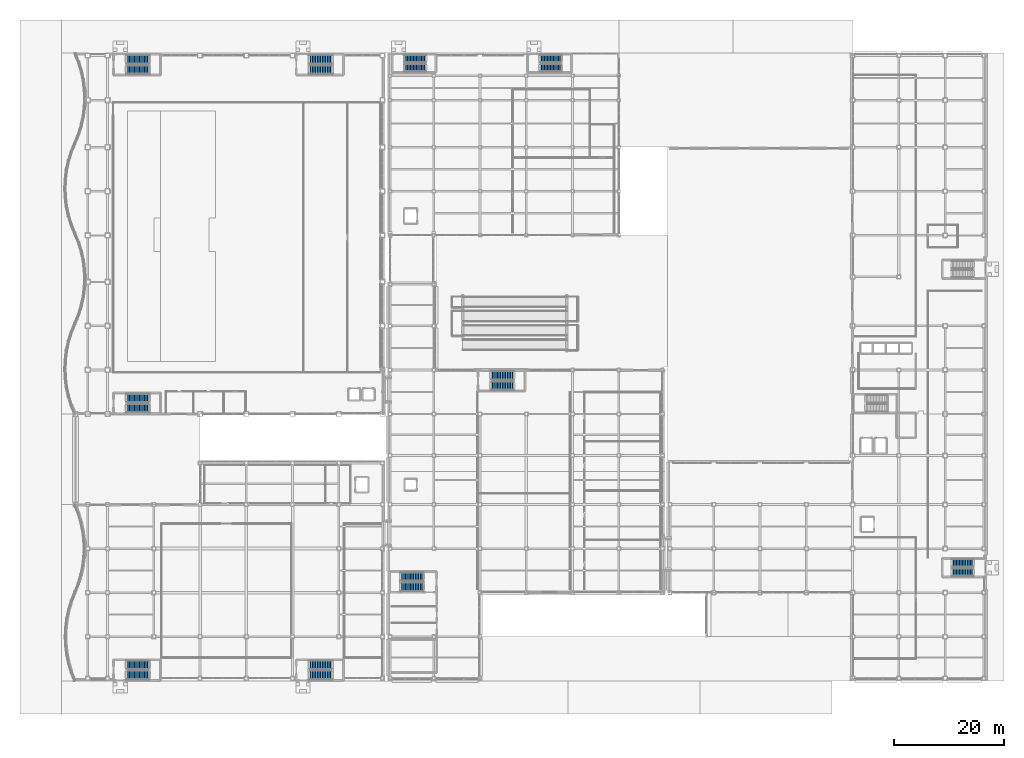
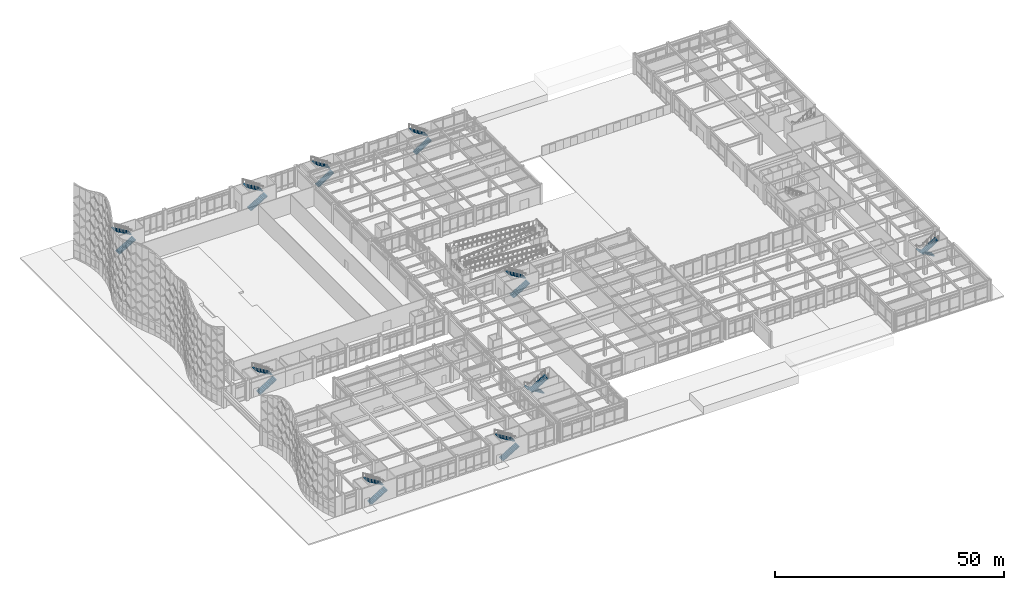
# One storey, part 137 of 165: 20 stair flights, 10 elements without a shape of their own.
"""IFC4 building model written with IfcOpenShell, lengths in metres."""

from ifc_helpers import new_model, si_unit, direction, frame, origin, place, context, subcontext, project, spatial, polyline, outline, extrude, material, type_object, element, aggregate, save


model = new_model("IFC4")

# Units and contexts
model_context = context("Model", 3, precision=1e-05, world=origin(), true_north=direction((0.0, 1.0)))
body_context = subcontext(model_context, "Body", "Model", "MODEL_VIEW")
ifc_project = project(units=[si_unit("LENGTHUNIT", "METRE"), si_unit("AREAUNIT", "SQUARE_METRE"), si_unit("VOLUMEUNIT", "CUBIC_METRE"), si_unit("PLANEANGLEUNIT", "RADIAN"), si_unit("MASSUNIT", "GRAM", prefix="KILO")], contexts=[model_context])

# Site, building, storey
site_placement = place(None, origin())
site = spatial("IfcSite", under=ifc_project, at=site_placement, CompositionType="ELEMENT")
building_placement = place(site_placement, origin())
building = spatial("IfcBuilding", under=site, at=building_placement, Name="Kazehara Bluff Congress Hotel", CompositionType="ELEMENT")
storey_placement = place(building_placement, origin())
storey = spatial("IfcBuildingStorey", under=building, at=storey_placement, Name="L00", CompositionType="ELEMENT", Elevation=0.0)

# Stair, stair flights
ifc_material_1 = material(Name="Concrete C36/45", Category="concrete")
stair_type_1 = type_object("IfcStairType", Name="TP-ST-T01", PredefinedType="HALF_TURN_STAIR", material=ifc_material_1)
stair_1_placement = place(storey_placement, origin())
stair_1 = element("IfcStair", 1, at=stair_1_placement, inside=storey, type_object=stair_type_1, Name="L00 Escape stair ST-01", PredefinedType="HALF_TURN_STAIR")
ifc_material_2 = material(Name="Concrete C36/45", Category="concrete")
stair_flight_type_1 = type_object("IfcStairFlightType", Name="TP-SF-T01", PredefinedType="STRAIGHT", material=ifc_material_2)
stair_flight_1_placement = place(storey_placement, frame((11.800048828125, 110.97509765625, 0.0), z_axis=(0.0, 0.0, 1.0), x_axis=(1.0, 0.0, 0.0)))
stair_flight_1 = element("IfcStairFlight", 2, at=stair_flight_1_placement, type_object=stair_flight_type_1, Name="ST-01 flight 1", NumberOfRisers=15, NumberOfTreads=14, PredefinedType="STRAIGHT", RiserHeight=0.18, TreadLength=0.3, context=body_context, shape_type="SweptSolid", body=[
    extrude(outline(polyline([(0.0, 0.0), (0.0, 0.179931640625), (0.300048828125, 0.179931640625), (0.300048828125, 0.360107421875), (0.60009765625, 0.360107421875), (0.60009765625, 0.5400390625), (0.89990234375, 0.5400390625), (0.89990234375, 0.719970703125), (1.199951171875, 0.719970703125), (1.199951171875, 0.89990234375), (1.5, 0.89990234375), (1.5, 1.080078125), (1.800048828125, 1.080078125), (1.800048828125, 1.260009765625), (2.10009765625, 1.260009765625), (2.10009765625, 1.43994140625), (2.39990234375, 1.43994140625), (2.39990234375, 1.6201171875), (2.699951171875, 1.6201171875), (2.699951171875, 1.800048828125), (3.0, 1.800048828125), (3.0, 1.97998046875), (3.300048828125, 1.97998046875), (3.300048828125, 2.159912109375), (3.60009765625, 2.159912109375), (3.60009765625, 2.340087890625), (3.89990234375, 2.340087890625), (3.89990234375, 2.52001953125), (4.199951171875, 2.52001953125), (4.199951171875, 2.699951171875), (4.199951171875, 2.33349609375), (0.310791015625, 0.0), (0.0, 0.0)])), frame((0.0, 0.824951171875, 0.0), z_axis=(0.0, -1.0, 0.0), x_axis=(1.0, 0.0, 0.0)), (0.0, 0.0, 1.0), 1.64990234375),
])
stair_flight_2_placement = place(storey_placement, frame((16.0, 112.824951171875, 2.699951171875), z_axis=(0.0, 0.0, 1.0), x_axis=(-1.0, 0.0, 0.0)))
stair_flight_2 = element("IfcStairFlight", 3, at=stair_flight_2_placement, type_object=stair_flight_type_1, Name="ST-01 flight 2", NumberOfRisers=15, NumberOfTreads=14, PredefinedType="STRAIGHT", RiserHeight=0.18, TreadLength=0.3, context=body_context, shape_type="SweptSolid", body=[
    extrude(outline(polyline([(0.0, 0.0), (0.0, 0.179931640625), (0.300048828125, 0.179931640625), (0.300048828125, 0.360107421875), (0.60009765625, 0.360107421875), (0.60009765625, 0.5400390625), (0.89990234375, 0.5400390625), (0.89990234375, 0.719970703125), (1.199951171875, 0.719970703125), (1.199951171875, 0.89990234375), (1.5, 0.89990234375), (1.5, 1.080078125), (1.800048828125, 1.080078125), (1.800048828125, 1.260009765625), (2.10009765625, 1.260009765625), (2.10009765625, 1.43994140625), (2.39990234375, 1.43994140625), (2.39990234375, 1.6201171875), (2.699951171875, 1.6201171875), (2.699951171875, 1.800048828125), (3.0, 1.800048828125), (3.0, 1.97998046875), (3.300048828125, 1.97998046875), (3.300048828125, 2.159912109375), (3.60009765625, 2.159912109375), (3.60009765625, 2.340087890625), (3.89990234375, 2.340087890625), (3.89990234375, 2.52001953125), (4.199951171875, 2.52001953125), (4.199951171875, 2.699951171875), (4.199951171875, 2.33349609375), (0.310791015625, 0.0), (0.0, 0.0)])), frame((0.0, 0.824951171875, 0.0), z_axis=(0.0, -1.0, 0.0), x_axis=(1.0, 0.0, 0.0)), (0.0, 0.0, 1.0), 1.64990234375),
])
aggregate(stair_1, [stair_flight_1, stair_flight_2])

stair_2_placement = place(storey_placement, origin())
stair_2 = element("IfcStair", 4, at=stair_2_placement, inside=storey, type_object=stair_type_1, Name="L00 Escape stair ST-02", PredefinedType="HALF_TURN_STAIR")
stair_flight_3_placement = place(storey_placement, frame((45.0, 110.97509765625, 0.0), z_axis=(0.0, 0.0, 1.0), x_axis=(1.0, 0.0, 0.0)))
stair_flight_3 = element("IfcStairFlight", 5, at=stair_flight_3_placement, type_object=stair_flight_type_1, Name="ST-02 flight 1", NumberOfRisers=15, NumberOfTreads=14, PredefinedType="STRAIGHT", RiserHeight=0.18, TreadLength=0.3, context=body_context, shape_type="SweptSolid", body=[
    extrude(outline(polyline([(0.0, 0.0), (0.0, 0.179931640625), (0.300048828125, 0.179931640625), (0.300048828125, 0.360107421875), (0.60009765625, 0.360107421875), (0.60009765625, 0.5400390625), (0.89990234375, 0.5400390625), (0.89990234375, 0.719970703125), (1.199951171875, 0.719970703125), (1.199951171875, 0.89990234375), (1.5, 0.89990234375), (1.5, 1.080078125), (1.800048828125, 1.080078125), (1.800048828125, 1.260009765625), (2.10009765625, 1.260009765625), (2.10009765625, 1.43994140625), (2.39990234375, 1.43994140625), (2.39990234375, 1.6201171875), (2.699951171875, 1.6201171875), (2.699951171875, 1.800048828125), (3.0, 1.800048828125), (3.0, 1.97998046875), (3.300048828125, 1.97998046875), (3.300048828125, 2.159912109375), (3.60009765625, 2.159912109375), (3.60009765625, 2.340087890625), (3.89990234375, 2.340087890625), (3.89990234375, 2.52001953125), (4.199951171875, 2.52001953125), (4.199951171875, 2.699951171875), (4.199951171875, 2.33349609375), (0.310791015625, 0.0), (0.0, 0.0)])), frame((0.0, 0.824951171875, 0.0), z_axis=(0.0, -1.0, 0.0), x_axis=(1.0, 0.0, 0.0)), (0.0, 0.0, 1.0), 1.64990234375),
])
stair_flight_4_placement = place(storey_placement, frame((49.199951171875, 112.824951171875, 2.699951171875), z_axis=(0.0, 0.0, 1.0), x_axis=(-1.0, 0.0, 0.0)))
stair_flight_4 = element("IfcStairFlight", 6, at=stair_flight_4_placement, type_object=stair_flight_type_1, Name="ST-02 flight 2", NumberOfRisers=15, NumberOfTreads=14, PredefinedType="STRAIGHT", RiserHeight=0.18, TreadLength=0.3, context=body_context, shape_type="SweptSolid", body=[
    extrude(outline(polyline([(0.0, 0.0), (0.0, 0.179931640625), (0.300048828125, 0.179931640625), (0.300048828125, 0.360107421875), (0.60009765625, 0.360107421875), (0.60009765625, 0.5400390625), (0.89990234375, 0.5400390625), (0.89990234375, 0.719970703125), (1.199951171875, 0.719970703125), (1.199951171875, 0.89990234375), (1.5, 0.89990234375), (1.5, 1.080078125), (1.800048828125, 1.080078125), (1.800048828125, 1.260009765625), (2.10009765625, 1.260009765625), (2.10009765625, 1.43994140625), (2.39990234375, 1.43994140625), (2.39990234375, 1.6201171875), (2.699951171875, 1.6201171875), (2.699951171875, 1.800048828125), (3.0, 1.800048828125), (3.0, 1.97998046875), (3.300048828125, 1.97998046875), (3.300048828125, 2.159912109375), (3.60009765625, 2.159912109375), (3.60009765625, 2.340087890625), (3.89990234375, 2.340087890625), (3.89990234375, 2.52001953125), (4.199951171875, 2.52001953125), (4.199951171875, 2.699951171875), (4.199951171875, 2.33349609375), (0.310791015625, 0.0), (0.0, 0.0)])), frame((0.0, 0.824951171875, 0.0), z_axis=(0.0, -1.0, 0.0), x_axis=(1.0, 0.0, 0.0)), (0.0, 0.0, 1.0), 1.64990234375),
])
aggregate(stair_2, [stair_flight_3, stair_flight_4])

stair_3_placement = place(storey_placement, origin())
stair_3 = element("IfcStair", 7, at=stair_3_placement, inside=storey, type_object=stair_type_1, Name="L00 Escape stair ST-03", PredefinedType="HALF_TURN_STAIR")
stair_flight_5_placement = place(storey_placement, frame((11.800048828125, 49.47509765625, 0.0), z_axis=(0.0, 0.0, 1.0), x_axis=(1.0, 0.0, 0.0)))
stair_flight_5 = element("IfcStairFlight", 8, at=stair_flight_5_placement, type_object=stair_flight_type_1, Name="ST-03 flight 1", NumberOfRisers=15, NumberOfTreads=14, PredefinedType="STRAIGHT", RiserHeight=0.18, TreadLength=0.3, context=body_context, shape_type="SweptSolid", body=[
    extrude(outline(polyline([(0.0, 0.0), (0.0, 0.179931640625), (0.300048828125, 0.179931640625), (0.300048828125, 0.360107421875), (0.60009765625, 0.360107421875), (0.60009765625, 0.5400390625), (0.89990234375, 0.5400390625), (0.89990234375, 0.719970703125), (1.199951171875, 0.719970703125), (1.199951171875, 0.89990234375), (1.5, 0.89990234375), (1.5, 1.080078125), (1.800048828125, 1.080078125), (1.800048828125, 1.260009765625), (2.10009765625, 1.260009765625), (2.10009765625, 1.43994140625), (2.39990234375, 1.43994140625), (2.39990234375, 1.6201171875), (2.699951171875, 1.6201171875), (2.699951171875, 1.800048828125), (3.0, 1.800048828125), (3.0, 1.97998046875), (3.300048828125, 1.97998046875), (3.300048828125, 2.159912109375), (3.60009765625, 2.159912109375), (3.60009765625, 2.340087890625), (3.89990234375, 2.340087890625), (3.89990234375, 2.52001953125), (4.199951171875, 2.52001953125), (4.199951171875, 2.699951171875), (4.199951171875, 2.33349609375), (0.310791015625, 0.0), (0.0, 0.0)])), frame((0.0, 0.824951171875, 0.0), z_axis=(0.0, -1.0, 0.0), x_axis=(1.0, 0.0, 0.0)), (0.0, 0.0, 1.0), 1.64990234375),
])
stair_flight_6_placement = place(storey_placement, frame((16.0, 51.324951171875, 2.699951171875), z_axis=(0.0, 0.0, 1.0), x_axis=(-1.0, 0.0, 0.0)))
stair_flight_6 = element("IfcStairFlight", 9, at=stair_flight_6_placement, type_object=stair_flight_type_1, Name="ST-03 flight 2", NumberOfRisers=15, NumberOfTreads=14, PredefinedType="STRAIGHT", RiserHeight=0.18, TreadLength=0.3, context=body_context, shape_type="SweptSolid", body=[
    extrude(outline(polyline([(0.0, 0.0), (0.0, 0.179931640625), (0.300048828125, 0.179931640625), (0.300048828125, 0.360107421875), (0.60009765625, 0.360107421875), (0.60009765625, 0.5400390625), (0.89990234375, 0.5400390625), (0.89990234375, 0.719970703125), (1.199951171875, 0.719970703125), (1.199951171875, 0.89990234375), (1.5, 0.89990234375), (1.5, 1.080078125), (1.800048828125, 1.080078125), (1.800048828125, 1.260009765625), (2.10009765625, 1.260009765625), (2.10009765625, 1.43994140625), (2.39990234375, 1.43994140625), (2.39990234375, 1.6201171875), (2.699951171875, 1.6201171875), (2.699951171875, 1.800048828125), (3.0, 1.800048828125), (3.0, 1.97998046875), (3.300048828125, 1.97998046875), (3.300048828125, 2.159912109375), (3.60009765625, 2.159912109375), (3.60009765625, 2.340087890625), (3.89990234375, 2.340087890625), (3.89990234375, 2.52001953125), (4.199951171875, 2.52001953125), (4.199951171875, 2.699951171875), (4.199951171875, 2.33349609375), (0.310791015625, 0.0), (0.0, 0.0)])), frame((0.0, 0.824951171875, 0.0), z_axis=(0.0, -1.0, 0.0), x_axis=(1.0, 0.0, 0.0)), (0.0, 0.0, 1.0), 1.64990234375),
])
aggregate(stair_3, [stair_flight_5, stair_flight_6])

stair_4_placement = place(storey_placement, origin())
stair_4 = element("IfcStair", 10, at=stair_4_placement, inside=storey, type_object=stair_type_1, Name="L00 Escape stair ST-04", PredefinedType="HALF_TURN_STAIR")
stair_flight_7_placement = place(storey_placement, frame((11.800048828125, 1.02490234375, 0.0), z_axis=(0.0, 0.0, 1.0), x_axis=(1.0, 0.0, 0.0)))
stair_flight_7 = element("IfcStairFlight", 11, at=stair_flight_7_placement, type_object=stair_flight_type_1, Name="ST-04 flight 1", NumberOfRisers=15, NumberOfTreads=14, PredefinedType="STRAIGHT", RiserHeight=0.18, TreadLength=0.3, context=body_context, shape_type="SweptSolid", body=[
    extrude(outline(polyline([(0.0, 0.0), (0.0, 0.179931640625), (0.300048828125, 0.179931640625), (0.300048828125, 0.360107421875), (0.60009765625, 0.360107421875), (0.60009765625, 0.5400390625), (0.89990234375, 0.5400390625), (0.89990234375, 0.719970703125), (1.199951171875, 0.719970703125), (1.199951171875, 0.89990234375), (1.5, 0.89990234375), (1.5, 1.080078125), (1.800048828125, 1.080078125), (1.800048828125, 1.260009765625), (2.10009765625, 1.260009765625), (2.10009765625, 1.43994140625), (2.39990234375, 1.43994140625), (2.39990234375, 1.6201171875), (2.699951171875, 1.6201171875), (2.699951171875, 1.800048828125), (3.0, 1.800048828125), (3.0, 1.97998046875), (3.300048828125, 1.97998046875), (3.300048828125, 2.159912109375), (3.60009765625, 2.159912109375), (3.60009765625, 2.340087890625), (3.89990234375, 2.340087890625), (3.89990234375, 2.52001953125), (4.199951171875, 2.52001953125), (4.199951171875, 2.699951171875), (4.199951171875, 2.33349609375), (0.310791015625, 0.0), (0.0, 0.0)])), frame((0.0, 0.824951171875, 0.0), z_axis=(0.0, -1.0, 0.0), x_axis=(1.0, 0.0, 0.0)), (0.0, 0.0, 1.0), 1.64990234375),
])
stair_flight_8_placement = place(storey_placement, frame((16.0, 2.875, 2.699951171875), z_axis=(0.0, 0.0, 1.0), x_axis=(-1.0, 0.0, 0.0)))
stair_flight_8 = element("IfcStairFlight", 12, at=stair_flight_8_placement, type_object=stair_flight_type_1, Name="ST-04 flight 2", NumberOfRisers=15, NumberOfTreads=14, PredefinedType="STRAIGHT", RiserHeight=0.18, TreadLength=0.3, context=body_context, shape_type="SweptSolid", body=[
    extrude(outline(polyline([(0.0, 0.0), (0.0, 0.179931640625), (0.300048828125, 0.179931640625), (0.300048828125, 0.360107421875), (0.60009765625, 0.360107421875), (0.60009765625, 0.5400390625), (0.89990234375, 0.5400390625), (0.89990234375, 0.719970703125), (1.199951171875, 0.719970703125), (1.199951171875, 0.89990234375), (1.5, 0.89990234375), (1.5, 1.080078125), (1.800048828125, 1.080078125), (1.800048828125, 1.260009765625), (2.10009765625, 1.260009765625), (2.10009765625, 1.43994140625), (2.39990234375, 1.43994140625), (2.39990234375, 1.6201171875), (2.699951171875, 1.6201171875), (2.699951171875, 1.800048828125), (3.0, 1.800048828125), (3.0, 1.97998046875), (3.300048828125, 1.97998046875), (3.300048828125, 2.159912109375), (3.60009765625, 2.159912109375), (3.60009765625, 2.340087890625), (3.89990234375, 2.340087890625), (3.89990234375, 2.52001953125), (4.199951171875, 2.52001953125), (4.199951171875, 2.699951171875), (4.199951171875, 2.33349609375), (0.310791015625, 0.0), (0.0, 0.0)])), frame((0.0, 0.824951171875, 0.0), z_axis=(0.0, -1.0, 0.0), x_axis=(1.0, 0.0, 0.0)), (0.0, 0.0, 1.0), 1.64990234375),
])
aggregate(stair_4, [stair_flight_7, stair_flight_8])

stair_5_placement = place(storey_placement, origin())
stair_5 = element("IfcStair", 13, at=stair_5_placement, inside=storey, type_object=stair_type_1, Name="L00 Escape stair ST-05", PredefinedType="HALF_TURN_STAIR")
stair_flight_9_placement = place(storey_placement, frame((45.0, 1.02490234375, 0.0), z_axis=(0.0, 0.0, 1.0), x_axis=(1.0, 0.0, 0.0)))
stair_flight_9 = element("IfcStairFlight", 14, at=stair_flight_9_placement, type_object=stair_flight_type_1, Name="ST-05 flight 1", NumberOfRisers=15, NumberOfTreads=14, PredefinedType="STRAIGHT", RiserHeight=0.18, TreadLength=0.3, context=body_context, shape_type="SweptSolid", body=[
    extrude(outline(polyline([(0.0, 0.0), (0.0, 0.179931640625), (0.300048828125, 0.179931640625), (0.300048828125, 0.360107421875), (0.60009765625, 0.360107421875), (0.60009765625, 0.5400390625), (0.89990234375, 0.5400390625), (0.89990234375, 0.719970703125), (1.199951171875, 0.719970703125), (1.199951171875, 0.89990234375), (1.5, 0.89990234375), (1.5, 1.080078125), (1.800048828125, 1.080078125), (1.800048828125, 1.260009765625), (2.10009765625, 1.260009765625), (2.10009765625, 1.43994140625), (2.39990234375, 1.43994140625), (2.39990234375, 1.6201171875), (2.699951171875, 1.6201171875), (2.699951171875, 1.800048828125), (3.0, 1.800048828125), (3.0, 1.97998046875), (3.300048828125, 1.97998046875), (3.300048828125, 2.159912109375), (3.60009765625, 2.159912109375), (3.60009765625, 2.340087890625), (3.89990234375, 2.340087890625), (3.89990234375, 2.52001953125), (4.199951171875, 2.52001953125), (4.199951171875, 2.699951171875), (4.199951171875, 2.33349609375), (0.310791015625, 0.0), (0.0, 0.0)])), frame((0.0, 0.824951171875, 0.0), z_axis=(0.0, -1.0, 0.0), x_axis=(1.0, 0.0, 0.0)), (0.0, 0.0, 1.0), 1.64990234375),
])
stair_flight_10_placement = place(storey_placement, frame((49.199951171875, 2.875, 2.699951171875), z_axis=(0.0, 0.0, 1.0), x_axis=(-1.0, 0.0, 0.0)))
stair_flight_10 = element("IfcStairFlight", 15, at=stair_flight_10_placement, type_object=stair_flight_type_1, Name="ST-05 flight 2", NumberOfRisers=15, NumberOfTreads=14, PredefinedType="STRAIGHT", RiserHeight=0.18, TreadLength=0.3, context=body_context, shape_type="SweptSolid", body=[
    extrude(outline(polyline([(0.0, 0.0), (0.0, 0.179931640625), (0.300048828125, 0.179931640625), (0.300048828125, 0.360107421875), (0.60009765625, 0.360107421875), (0.60009765625, 0.5400390625), (0.89990234375, 0.5400390625), (0.89990234375, 0.719970703125), (1.199951171875, 0.719970703125), (1.199951171875, 0.89990234375), (1.5, 0.89990234375), (1.5, 1.080078125), (1.800048828125, 1.080078125), (1.800048828125, 1.260009765625), (2.10009765625, 1.260009765625), (2.10009765625, 1.43994140625), (2.39990234375, 1.43994140625), (2.39990234375, 1.6201171875), (2.699951171875, 1.6201171875), (2.699951171875, 1.800048828125), (3.0, 1.800048828125), (3.0, 1.97998046875), (3.300048828125, 1.97998046875), (3.300048828125, 2.159912109375), (3.60009765625, 2.159912109375), (3.60009765625, 2.340087890625), (3.89990234375, 2.340087890625), (3.89990234375, 2.52001953125), (4.199951171875, 2.52001953125), (4.199951171875, 2.699951171875), (4.199951171875, 2.33349609375), (0.310791015625, 0.0), (0.0, 0.0)])), frame((0.0, 0.824951171875, 0.0), z_axis=(0.0, -1.0, 0.0), x_axis=(1.0, 0.0, 0.0)), (0.0, 0.0, 1.0), 1.64990234375),
])
aggregate(stair_5, [stair_flight_9, stair_flight_10])

stair_6_placement = place(storey_placement, origin())
stair_6 = element("IfcStair", 16, at=stair_6_placement, inside=storey, type_object=stair_type_1, Name="L00 Escape stair ST-08", PredefinedType="HALF_TURN_STAIR")
stair_flight_11_placement = place(storey_placement, frame((65.800048828125, 18.875, 0.0), z_axis=(0.0, 0.0, 1.0), x_axis=(-1.0, 0.0, 0.0)))
stair_flight_11 = element("IfcStairFlight", 17, at=stair_flight_11_placement, type_object=stair_flight_type_1, Name="ST-08 flight 1", NumberOfRisers=15, NumberOfTreads=14, PredefinedType="STRAIGHT", RiserHeight=0.18, TreadLength=0.3, context=body_context, shape_type="SweptSolid", body=[
    extrude(outline(polyline([(0.0, 0.0), (0.0, 0.179931640625), (0.300048828125, 0.179931640625), (0.300048828125, 0.360107421875), (0.60009765625, 0.360107421875), (0.60009765625, 0.5400390625), (0.89990234375, 0.5400390625), (0.89990234375, 0.719970703125), (1.199951171875, 0.719970703125), (1.199951171875, 0.89990234375), (1.5, 0.89990234375), (1.5, 1.080078125), (1.800048828125, 1.080078125), (1.800048828125, 1.260009765625), (2.10009765625, 1.260009765625), (2.10009765625, 1.43994140625), (2.39990234375, 1.43994140625), (2.39990234375, 1.6201171875), (2.699951171875, 1.6201171875), (2.699951171875, 1.800048828125), (3.0, 1.800048828125), (3.0, 1.97998046875), (3.300048828125, 1.97998046875), (3.300048828125, 2.159912109375), (3.60009765625, 2.159912109375), (3.60009765625, 2.340087890625), (3.89990234375, 2.340087890625), (3.89990234375, 2.52001953125), (4.199951171875, 2.52001953125), (4.199951171875, 2.699951171875), (4.199951171875, 2.33349609375), (0.310791015625, 0.0), (0.0, 0.0)])), frame((0.0, 0.824951171875, 0.0), z_axis=(0.0, -1.0, 0.0), x_axis=(1.0, 0.0, 0.0)), (0.0, 0.0, 1.0), 1.64990234375),
])
stair_flight_12_placement = place(storey_placement, frame((61.60009765625, 17.02490234375, 2.699951171875), z_axis=(0.0, 0.0, 1.0), x_axis=(1.0, 0.0, 0.0)))
stair_flight_12 = element("IfcStairFlight", 18, at=stair_flight_12_placement, type_object=stair_flight_type_1, Name="ST-08 flight 2", NumberOfRisers=15, NumberOfTreads=14, PredefinedType="STRAIGHT", RiserHeight=0.18, TreadLength=0.3, context=body_context, shape_type="SweptSolid", body=[
    extrude(outline(polyline([(0.0, 0.0), (0.0, 0.179931640625), (0.300048828125, 0.179931640625), (0.300048828125, 0.360107421875), (0.60009765625, 0.360107421875), (0.60009765625, 0.5400390625), (0.89990234375, 0.5400390625), (0.89990234375, 0.719970703125), (1.199951171875, 0.719970703125), (1.199951171875, 0.89990234375), (1.5, 0.89990234375), (1.5, 1.080078125), (1.800048828125, 1.080078125), (1.800048828125, 1.260009765625), (2.10009765625, 1.260009765625), (2.10009765625, 1.43994140625), (2.39990234375, 1.43994140625), (2.39990234375, 1.6201171875), (2.699951171875, 1.6201171875), (2.699951171875, 1.800048828125), (3.0, 1.800048828125), (3.0, 1.97998046875), (3.300048828125, 1.97998046875), (3.300048828125, 2.159912109375), (3.60009765625, 2.159912109375), (3.60009765625, 2.340087890625), (3.89990234375, 2.340087890625), (3.89990234375, 2.52001953125), (4.199951171875, 2.52001953125), (4.199951171875, 2.699951171875), (4.199951171875, 2.33349609375), (0.310791015625, 0.0), (0.0, 0.0)])), frame((0.0, 0.824951171875, 0.0), z_axis=(0.0, -1.0, 0.0), x_axis=(1.0, 0.0, 0.0)), (0.0, 0.0, 1.0), 1.64990234375),
])
aggregate(stair_6, [stair_flight_11, stair_flight_12])

stair_7_placement = place(storey_placement, origin())
stair_7 = element("IfcStair", 19, at=stair_7_placement, inside=storey, type_object=stair_type_1, Name="L00 Escape stair ST-09", PredefinedType="HALF_TURN_STAIR")
stair_flight_13_placement = place(storey_placement, frame((78.0, 53.574951171875, 0.0), z_axis=(0.0, 0.0, 1.0), x_axis=(1.0, 0.0, 0.0)))
stair_flight_13 = element("IfcStairFlight", 20, at=stair_flight_13_placement, type_object=stair_flight_type_1, Name="ST-09 flight 1", NumberOfRisers=15, NumberOfTreads=14, PredefinedType="STRAIGHT", RiserHeight=0.18, TreadLength=0.3, context=body_context, shape_type="SweptSolid", body=[
    extrude(outline(polyline([(0.0, 0.0), (0.0, 0.179931640625), (0.300048828125, 0.179931640625), (0.300048828125, 0.360107421875), (0.60009765625, 0.360107421875), (0.60009765625, 0.5400390625), (0.89990234375, 0.5400390625), (0.89990234375, 0.719970703125), (1.199951171875, 0.719970703125), (1.199951171875, 0.89990234375), (1.5, 0.89990234375), (1.5, 1.080078125), (1.800048828125, 1.080078125), (1.800048828125, 1.260009765625), (2.10009765625, 1.260009765625), (2.10009765625, 1.43994140625), (2.39990234375, 1.43994140625), (2.39990234375, 1.6201171875), (2.699951171875, 1.6201171875), (2.699951171875, 1.800048828125), (3.0, 1.800048828125), (3.0, 1.97998046875), (3.300048828125, 1.97998046875), (3.300048828125, 2.159912109375), (3.60009765625, 2.159912109375), (3.60009765625, 2.340087890625), (3.89990234375, 2.340087890625), (3.89990234375, 2.52001953125), (4.199951171875, 2.52001953125), (4.199951171875, 2.699951171875), (4.199951171875, 2.33349609375), (0.310791015625, 0.0), (0.0, 0.0)])), frame((0.0, 0.824951171875, 0.0), z_axis=(0.0, -1.0, 0.0), x_axis=(1.0, 0.0, 0.0)), (0.0, 0.0, 1.0), 1.64990234375),
])
stair_flight_14_placement = place(storey_placement, frame((82.199951171875, 55.425048828125, 2.699951171875), z_axis=(0.0, 0.0, 1.0), x_axis=(-1.0, 0.0, 0.0)))
stair_flight_14 = element("IfcStairFlight", 21, at=stair_flight_14_placement, type_object=stair_flight_type_1, Name="ST-09 flight 2", NumberOfRisers=15, NumberOfTreads=14, PredefinedType="STRAIGHT", RiserHeight=0.18, TreadLength=0.3, context=body_context, shape_type="SweptSolid", body=[
    extrude(outline(polyline([(0.0, 0.0), (0.0, 0.179931640625), (0.300048828125, 0.179931640625), (0.300048828125, 0.360107421875), (0.60009765625, 0.360107421875), (0.60009765625, 0.5400390625), (0.89990234375, 0.5400390625), (0.89990234375, 0.719970703125), (1.199951171875, 0.719970703125), (1.199951171875, 0.89990234375), (1.5, 0.89990234375), (1.5, 1.080078125), (1.800048828125, 1.080078125), (1.800048828125, 1.260009765625), (2.10009765625, 1.260009765625), (2.10009765625, 1.43994140625), (2.39990234375, 1.43994140625), (2.39990234375, 1.6201171875), (2.699951171875, 1.6201171875), (2.699951171875, 1.800048828125), (3.0, 1.800048828125), (3.0, 1.97998046875), (3.300048828125, 1.97998046875), (3.300048828125, 2.159912109375), (3.60009765625, 2.159912109375), (3.60009765625, 2.340087890625), (3.89990234375, 2.340087890625), (3.89990234375, 2.52001953125), (4.199951171875, 2.52001953125), (4.199951171875, 2.699951171875), (4.199951171875, 2.33349609375), (0.310791015625, 0.0), (0.0, 0.0)])), frame((0.0, 0.824951171875, 0.0), z_axis=(0.0, -1.0, 0.0), x_axis=(1.0, 0.0, 0.0)), (0.0, 0.0, 1.0), 1.64990234375),
])
aggregate(stair_7, [stair_flight_13, stair_flight_14])

ifc_material_3 = material(Name="Concrete C36/45", Category="concrete")
stair_type_2 = type_object("IfcStairType", Name="TP-ST-T03", PredefinedType="HALF_TURN_STAIR", material=ifc_material_3)
stair_8_placement = place(storey_placement, origin())
stair_8 = element("IfcStair", 22, at=stair_8_placement, inside=storey, type_object=stair_type_2, Name="L00 Escape stair ST-06", PredefinedType="HALF_TURN_STAIR")
ifc_material_4 = material(Name="Concrete C36/45", Category="concrete")
stair_flight_type_2 = type_object("IfcStairFlightType", Name="TP-SF-T03", PredefinedType="STRAIGHT", material=ifc_material_4)
stair_flight_15_placement = place(storey_placement, frame((62.300048828125, 111.324951171875, 0.0), z_axis=(0.0, 0.0, 1.0), x_axis=(1.0, 0.0, 0.0)))
stair_flight_15 = element("IfcStairFlight", 23, at=stair_flight_15_placement, type_object=stair_flight_type_2, Name="ST-06 flight 1", NumberOfRisers=15, NumberOfTreads=14, PredefinedType="STRAIGHT", RiserHeight=0.18, TreadLength=0.28, context=body_context, shape_type="SweptSolid", body=[
    extrude(outline(polyline([(0.0, 0.0), (0.0, 0.179931640625), (0.280029296875, 0.179931640625), (0.280029296875, 0.360107421875), (0.56005859375, 0.360107421875), (0.56005859375, 0.5400390625), (0.840087890625, 0.5400390625), (0.840087890625, 0.719970703125), (1.1201171875, 0.719970703125), (1.1201171875, 0.89990234375), (1.39990234375, 0.89990234375), (1.39990234375, 1.080078125), (1.679931640625, 1.080078125), (1.679931640625, 1.260009765625), (1.9599609375, 1.260009765625), (1.9599609375, 1.43994140625), (2.239990234375, 1.43994140625), (2.239990234375, 1.6201171875), (2.52001953125, 1.6201171875), (2.52001953125, 1.800048828125), (2.800048828125, 1.800048828125), (2.800048828125, 1.97998046875), (3.080078125, 1.97998046875), (3.080078125, 2.159912109375), (3.360107421875, 2.159912109375), (3.360107421875, 2.340087890625), (3.639892578125, 2.340087890625), (3.639892578125, 2.52001953125), (3.919921875, 2.52001953125), (3.919921875, 2.699951171875), (3.919921875, 2.329833984375), (0.295654296875, 0.0), (0.0, 0.0)])), frame((0.0, 0.72509765625, 0.0), z_axis=(0.0, -1.0, 0.0), x_axis=(1.0, 0.0, 0.0)), (0.0, 0.0, 1.0), 1.449951171875),
])
stair_flight_16_placement = place(storey_placement, frame((66.219970703125, 112.97509765625, 2.699951171875), z_axis=(0.0, 0.0, 1.0), x_axis=(-1.0, 0.0, 0.0)))
stair_flight_16 = element("IfcStairFlight", 24, at=stair_flight_16_placement, type_object=stair_flight_type_2, Name="ST-06 flight 2", NumberOfRisers=15, NumberOfTreads=14, PredefinedType="STRAIGHT", RiserHeight=0.18, TreadLength=0.28, context=body_context, shape_type="SweptSolid", body=[
    extrude(outline(polyline([(0.0, 0.0), (0.0, 0.179931640625), (0.280029296875, 0.179931640625), (0.280029296875, 0.360107421875), (0.56005859375, 0.360107421875), (0.56005859375, 0.5400390625), (0.840087890625, 0.5400390625), (0.840087890625, 0.719970703125), (1.1201171875, 0.719970703125), (1.1201171875, 0.89990234375), (1.39990234375, 0.89990234375), (1.39990234375, 1.080078125), (1.679931640625, 1.080078125), (1.679931640625, 1.260009765625), (1.9599609375, 1.260009765625), (1.9599609375, 1.43994140625), (2.239990234375, 1.43994140625), (2.239990234375, 1.6201171875), (2.52001953125, 1.6201171875), (2.52001953125, 1.800048828125), (2.800048828125, 1.800048828125), (2.800048828125, 1.97998046875), (3.080078125, 1.97998046875), (3.080078125, 2.159912109375), (3.360107421875, 2.159912109375), (3.360107421875, 2.340087890625), (3.639892578125, 2.340087890625), (3.639892578125, 2.52001953125), (3.919921875, 2.52001953125), (3.919921875, 2.699951171875), (3.919921875, 2.329833984375), (0.295654296875, 0.0), (0.0, 0.0)])), frame((0.0, 0.72509765625, 0.0), z_axis=(0.0, -1.0, 0.0), x_axis=(1.0, 0.0, 0.0)), (0.0, 0.0, 1.0), 1.449951171875),
])
aggregate(stair_8, [stair_flight_15, stair_flight_16])

stair_9_placement = place(storey_placement, origin())
stair_9 = element("IfcStair", 25, at=stair_9_placement, inside=storey, type_object=stair_type_2, Name="L00 Escape stair ST-07", PredefinedType="HALF_TURN_STAIR")
stair_flight_17_placement = place(storey_placement, frame((86.89990234375, 111.324951171875, 0.0), z_axis=(0.0, 0.0, 1.0), x_axis=(1.0, 0.0, 0.0)))
stair_flight_17 = element("IfcStairFlight", 26, at=stair_flight_17_placement, type_object=stair_flight_type_2, Name="ST-07 flight 1", NumberOfRisers=15, NumberOfTreads=14, PredefinedType="STRAIGHT", RiserHeight=0.18, TreadLength=0.28, context=body_context, shape_type="SweptSolid", body=[
    extrude(outline(polyline([(0.0, 0.0), (0.0, 0.179931640625), (0.280029296875, 0.179931640625), (0.280029296875, 0.360107421875), (0.56005859375, 0.360107421875), (0.56005859375, 0.5400390625), (0.840087890625, 0.5400390625), (0.840087890625, 0.719970703125), (1.1201171875, 0.719970703125), (1.1201171875, 0.89990234375), (1.39990234375, 0.89990234375), (1.39990234375, 1.080078125), (1.679931640625, 1.080078125), (1.679931640625, 1.260009765625), (1.9599609375, 1.260009765625), (1.9599609375, 1.43994140625), (2.239990234375, 1.43994140625), (2.239990234375, 1.6201171875), (2.52001953125, 1.6201171875), (2.52001953125, 1.800048828125), (2.800048828125, 1.800048828125), (2.800048828125, 1.97998046875), (3.080078125, 1.97998046875), (3.080078125, 2.159912109375), (3.360107421875, 2.159912109375), (3.360107421875, 2.340087890625), (3.639892578125, 2.340087890625), (3.639892578125, 2.52001953125), (3.919921875, 2.52001953125), (3.919921875, 2.699951171875), (3.919921875, 2.329833984375), (0.295654296875, 0.0), (0.0, 0.0)])), frame((0.0, 0.72509765625, 0.0), z_axis=(0.0, -1.0, 0.0), x_axis=(1.0, 0.0, 0.0)), (0.0, 0.0, 1.0), 1.449951171875),
])
stair_flight_18_placement = place(storey_placement, frame((90.820068359375, 112.97509765625, 2.699951171875), z_axis=(0.0, 0.0, 1.0), x_axis=(-1.0, 0.0, 0.0)))
stair_flight_18 = element("IfcStairFlight", 27, at=stair_flight_18_placement, type_object=stair_flight_type_2, Name="ST-07 flight 2", NumberOfRisers=15, NumberOfTreads=14, PredefinedType="STRAIGHT", RiserHeight=0.18, TreadLength=0.28, context=body_context, shape_type="SweptSolid", body=[
    extrude(outline(polyline([(0.0, 0.0), (0.0, 0.179931640625), (0.280029296875, 0.179931640625), (0.280029296875, 0.360107421875), (0.56005859375, 0.360107421875), (0.56005859375, 0.5400390625), (0.840087890625, 0.5400390625), (0.840087890625, 0.719970703125), (1.1201171875, 0.719970703125), (1.1201171875, 0.89990234375), (1.39990234375, 0.89990234375), (1.39990234375, 1.080078125), (1.679931640625, 1.080078125), (1.679931640625, 1.260009765625), (1.9599609375, 1.260009765625), (1.9599609375, 1.43994140625), (2.239990234375, 1.43994140625), (2.239990234375, 1.6201171875), (2.52001953125, 1.6201171875), (2.52001953125, 1.800048828125), (2.800048828125, 1.800048828125), (2.800048828125, 1.97998046875), (3.080078125, 1.97998046875), (3.080078125, 2.159912109375), (3.360107421875, 2.159912109375), (3.360107421875, 2.340087890625), (3.639892578125, 2.340087890625), (3.639892578125, 2.52001953125), (3.919921875, 2.52001953125), (3.919921875, 2.699951171875), (3.919921875, 2.329833984375), (0.295654296875, 0.0), (0.0, 0.0)])), frame((0.0, 0.72509765625, 0.0), z_axis=(0.0, -1.0, 0.0), x_axis=(1.0, 0.0, 0.0)), (0.0, 0.0, 1.0), 1.449951171875),
])
aggregate(stair_9, [stair_flight_17, stair_flight_18])

stair_10_placement = place(storey_placement, origin())
stair_10 = element("IfcStair", 28, at=stair_10_placement, inside=storey, type_object=stair_type_2, Name="L00 Escape stair ST-10", PredefinedType="HALF_TURN_STAIR")
stair_flight_19_placement = place(storey_placement, frame((165.64990234375, 21.375, 0.0), z_axis=(0.0, 0.0, 1.0), x_axis=(-1.0, 0.0, 0.0)))
stair_flight_19 = element("IfcStairFlight", 29, at=stair_flight_19_placement, type_object=stair_flight_type_2, Name="ST-10 flight 1", NumberOfRisers=15, NumberOfTreads=14, PredefinedType="STRAIGHT", RiserHeight=0.18, TreadLength=0.28, context=body_context, shape_type="SweptSolid", body=[
    extrude(outline(polyline([(0.0, 0.0), (0.0, 0.179931640625), (0.280029296875, 0.179931640625), (0.280029296875, 0.360107421875), (0.56005859375, 0.360107421875), (0.56005859375, 0.5400390625), (0.840087890625, 0.5400390625), (0.840087890625, 0.719970703125), (1.1201171875, 0.719970703125), (1.1201171875, 0.89990234375), (1.39990234375, 0.89990234375), (1.39990234375, 1.080078125), (1.679931640625, 1.080078125), (1.679931640625, 1.260009765625), (1.9599609375, 1.260009765625), (1.9599609375, 1.43994140625), (2.239990234375, 1.43994140625), (2.239990234375, 1.6201171875), (2.52001953125, 1.6201171875), (2.52001953125, 1.800048828125), (2.800048828125, 1.800048828125), (2.800048828125, 1.97998046875), (3.080078125, 1.97998046875), (3.080078125, 2.159912109375), (3.360107421875, 2.159912109375), (3.360107421875, 2.340087890625), (3.639892578125, 2.340087890625), (3.639892578125, 2.52001953125), (3.919921875, 2.52001953125), (3.919921875, 2.699951171875), (3.919921875, 2.329833984375), (0.295654296875, 0.0), (0.0, 0.0)])), frame((0.0, 0.72509765625, 0.0), z_axis=(0.0, -1.0, 0.0), x_axis=(1.0, 0.0, 0.0)), (0.0, 0.0, 1.0), 1.449951171875),
])
stair_flight_20_placement = place(storey_placement, frame((161.72998046875, 19.72509765625, 2.699951171875), z_axis=(0.0, 0.0, 1.0), x_axis=(1.0, 0.0, 0.0)))
stair_flight_20 = element("IfcStairFlight", 30, at=stair_flight_20_placement, type_object=stair_flight_type_2, Name="ST-10 flight 2", NumberOfRisers=15, NumberOfTreads=14, PredefinedType="STRAIGHT", RiserHeight=0.18, TreadLength=0.28, context=body_context, shape_type="SweptSolid", body=[
    extrude(outline(polyline([(0.0, 0.0), (0.0, 0.179931640625), (0.280029296875, 0.179931640625), (0.280029296875, 0.360107421875), (0.56005859375, 0.360107421875), (0.56005859375, 0.5400390625), (0.840087890625, 0.5400390625), (0.840087890625, 0.719970703125), (1.1201171875, 0.719970703125), (1.1201171875, 0.89990234375), (1.39990234375, 0.89990234375), (1.39990234375, 1.080078125), (1.679931640625, 1.080078125), (1.679931640625, 1.260009765625), (1.9599609375, 1.260009765625), (1.9599609375, 1.43994140625), (2.239990234375, 1.43994140625), (2.239990234375, 1.6201171875), (2.52001953125, 1.6201171875), (2.52001953125, 1.800048828125), (2.800048828125, 1.800048828125), (2.800048828125, 1.97998046875), (3.080078125, 1.97998046875), (3.080078125, 2.159912109375), (3.360107421875, 2.159912109375), (3.360107421875, 2.340087890625), (3.639892578125, 2.340087890625), (3.639892578125, 2.52001953125), (3.919921875, 2.52001953125), (3.919921875, 2.699951171875), (3.919921875, 2.329833984375), (0.295654296875, 0.0), (0.0, 0.0)])), frame((0.0, 0.72509765625, 0.0), z_axis=(0.0, -1.0, 0.0), x_axis=(1.0, 0.0, 0.0)), (0.0, 0.0, 1.0), 1.449951171875),
])
aggregate(stair_10, [stair_flight_19, stair_flight_20])

save(model, "model.ifc")
